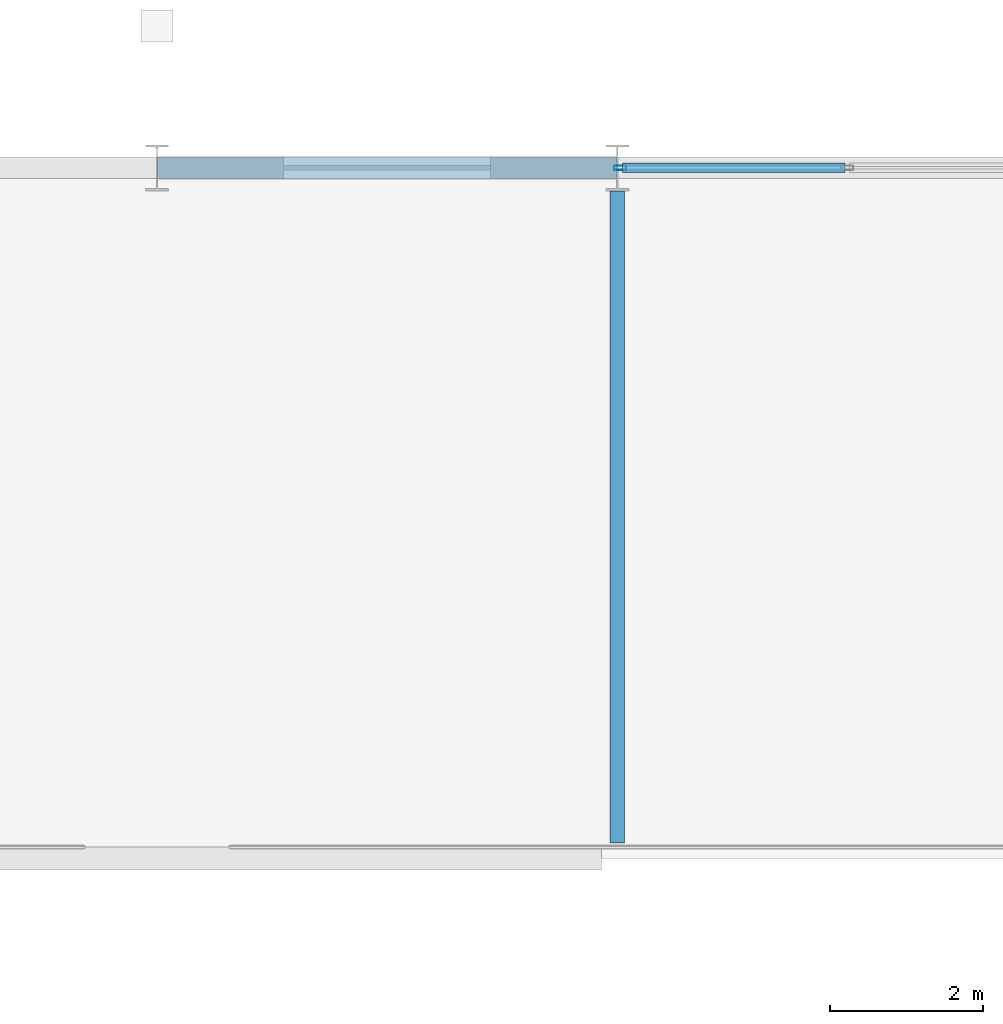
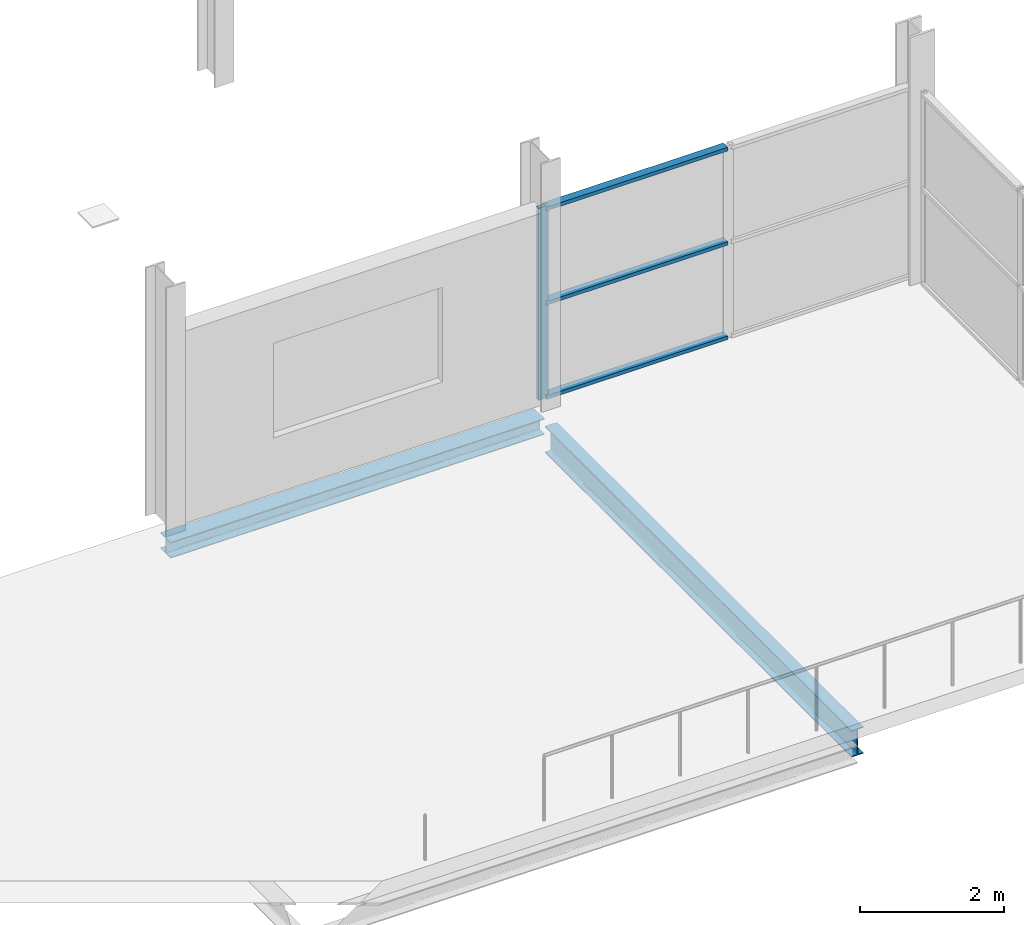
# One storey, part 49 of 135: 4 members, 2 beams, 1 element without a shape of its own.
"""IFC4 building model written with IfcOpenShell, lengths in metres."""

from ifc_helpers import new_model, si_unit, direction, frame, origin, origin_2d, place, context, subcontext, project, spatial, hollow_rectangle, i_section, extrude, material, layer, layer_set, material_profile, profile_set, type_object, element, aggregate, save


model = new_model("IFC4")

# Units and contexts
model_context = context("Model", 3, precision=1e-05, world=origin(), true_north=direction((0.0, 1.0)))
body_context = subcontext(model_context, "Body", "Model", "MODEL_VIEW")
ifc_project = project(units=[si_unit("LENGTHUNIT", "METRE"), si_unit("AREAUNIT", "SQUARE_METRE"), si_unit("VOLUMEUNIT", "CUBIC_METRE"), si_unit("PLANEANGLEUNIT", "RADIAN"), si_unit("MASSUNIT", "GRAM", prefix="KILO")], contexts=[model_context])

# Site, building, storey
site_placement = place(None, origin())
site = spatial("IfcSite", under=ifc_project, at=site_placement, CompositionType="ELEMENT")
building_placement = place(site_placement, origin())
building = spatial("IfcBuilding", under=site, at=building_placement, Name="Deido Ridge Mobility Hub", CompositionType="ELEMENT")
storey_placement = place(building_placement, frame((0.0, 0.0, 4.199951171875)))
storey = spatial("IfcBuildingStorey", under=building, at=storey_placement, Name="L01", CompositionType="ELEMENT", Elevation=4.199951171875)

# Beam
ifc_material_1 = material(Name="Steel S355J2 EN 10025-2", Category="steel")
ifc_material_profile_1 = material_profile(ifc_material_1, i_section(OverallWidth=0.18994140625, OverallDepth=0.449951171875, WebThickness=0.009521484375, FlangeThickness=0.0146484375, FilletRadius=0.02099609375, at=origin_2d()), Name="IPE 450")
ifc_profile_set_1 = profile_set([ifc_material_profile_1], Name="Steel S355J2 EN 10025-2")
beam_type_1 = type_object("IfcBeamType", Name="BM-IPE450", PredefinedType="BEAM", material=ifc_profile_set_1)
beam_1_placement = place(storey_placement, frame((54.0, 27.203125, -0.474853515625), z_axis=(0.0, 1.0, 0.0), x_axis=(-1.0, 0.0, 0.0)))
element("IfcBeam", 1, at=beam_1_placement, inside=storey, type_object=beam_type_1, Name="Floor beam B4", PredefinedType="BEAM", context=body_context, shape_type="SweptSolid", body=[
    extrude(i_section(OverallWidth=0.18994140625, OverallDepth=0.449951171875, WebThickness=0.009521484375, FlangeThickness=0.0146484375, FilletRadius=0.02099609375, at=origin_2d()), origin(), (0.0, 0.0, 1.0), 8.496826171875),
])

# Curtain wall, members
ifc_material_2 = material(Name="Anodised aluminium EN AW-6063 T6", Category="aluminium")
ifc_layer = layer(ifc_material_2, 0.14404296875, Name="Anodised aluminium EN AW-6063 T6")
ifc_layer_set = layer_set([ifc_layer], Name="Anodised aluminium EN AW-6063 T6")
curtain_wall_type = type_object("IfcCurtainWallType", Name="CW-GS-2", PredefinedType="USERDEFINED", material=ifc_layer_set)
curtain_wall_placement = place(storey_placement, origin())
curtain_wall = element("IfcCurtainWall", 2, at=curtain_wall_placement, inside=storey, type_object=curtain_wall_type, Name="Unitised curtain wall GS2", ObjectType="GLAZED SCREEN", PredefinedType="USERDEFINED")
ifc_material_profile_2 = material_profile(ifc_material_2, hollow_rectangle(XDim=0.06005859375, YDim=0.159912109375, WallThickness=0.00390625, at=origin_2d()), Name="RHS 60x160x4")
ifc_profile_set_2 = profile_set([ifc_material_profile_2], Name="Anodised aluminium EN AW-6063 T6")
member_type_1 = type_object("IfcMemberType", Name="MEM-MUL-60X160", PredefinedType="MULLION", material=ifc_profile_set_2)
member_1_placement = place(storey_placement, frame((54.037841796875, 36.0, 0.0), z_axis=(0.0, 0.0, 1.0), x_axis=(0.0, 1.0, 0.0)))
member_1 = element("IfcMember", 3, at=member_1_placement, type_object=member_type_1, Name="GS2 mullion 1", PredefinedType="MULLION", context=body_context, shape_type="SweptSolid", body=[
    extrude(hollow_rectangle(XDim=0.06005859375, YDim=0.159912109375, WallThickness=0.00390625, at=origin_2d()), origin(), (0.0, 0.0, 1.0), 3.25),
])
ifc_material_profile_3 = material_profile(ifc_material_2, hollow_rectangle(XDim=0.125, YDim=0.06005859375, WallThickness=0.00390625, at=origin_2d()), Name="RHS 125x60x4")
ifc_profile_set_3 = profile_set([ifc_material_profile_3], Name="Anodised aluminium EN AW-6063 T6")
member_type_2 = type_object("IfcMemberType", Name="MEM-TRN-125X60", PredefinedType="USERDEFINED", material=ifc_profile_set_3)
member_2_placement = place(storey_placement, frame((54.06787109375, 36.0, 0.030029296875), z_axis=(1.0, 0.0, 0.0), x_axis=(0.0, 1.0, 0.0)))
member_2 = element("IfcMember", 4, at=member_2_placement, type_object=member_type_2, Name="GS2 transom 1.1", ObjectType="TRANSOM", PredefinedType="USERDEFINED", context=body_context, shape_type="SweptSolid", body=[
    extrude(hollow_rectangle(XDim=0.125, YDim=0.06005859375, WallThickness=0.00390625, at=origin_2d()), origin(), (0.0, 0.0, 1.0), 2.900146484375),
])
member_3_placement = place(storey_placement, frame((54.06787109375, 36.0, 1.625), z_axis=(1.0, 0.0, 0.0), x_axis=(0.0, 1.0, 0.0)))
member_3 = element("IfcMember", 5, at=member_3_placement, type_object=member_type_2, Name="GS2 transom 1.2", ObjectType="TRANSOM", PredefinedType="USERDEFINED", context=body_context, shape_type="SweptSolid", body=[
    extrude(hollow_rectangle(XDim=0.125, YDim=0.06005859375, WallThickness=0.00390625, at=origin_2d()), origin(), (0.0, 0.0, 1.0), 2.900146484375),
])
member_4_placement = place(storey_placement, frame((54.06787109375, 36.0, 3.219970703125), z_axis=(1.0, 0.0, 0.0), x_axis=(0.0, 1.0, 0.0)))
member_4 = element("IfcMember", 6, at=member_4_placement, type_object=member_type_2, Name="GS2 transom 1.3", ObjectType="TRANSOM", PredefinedType="USERDEFINED", context=body_context, shape_type="SweptSolid", body=[
    extrude(hollow_rectangle(XDim=0.125, YDim=0.06005859375, WallThickness=0.00390625, at=origin_2d()), origin(), (0.0, 0.0, 1.0), 2.900146484375),
])
aggregate(curtain_wall, [member_1, member_2, member_3, member_4])

# Beam
ifc_material_profile_4 = material_profile(ifc_material_1, i_section(OverallWidth=0.280029296875, OverallDepth=0.27001953125, WebThickness=0.008056640625, FlangeThickness=0.012939453125, FilletRadius=0.02392578125, at=origin_2d()), Name="HEA 280")
ifc_profile_set_4 = profile_set([ifc_material_profile_4], Name="Steel S355J2 EN 10025-2")
beam_type_2 = type_object("IfcBeamType", Name="SPD-HEA280", PredefinedType="SPANDREL", material=ifc_profile_set_4)
beam_2_placement = place(storey_placement, frame((48.0078125, 36.0, -0.385009765625), z_axis=(1.0, 0.0, 0.0), x_axis=(0.0, 1.0, 0.0)))
element("IfcBeam", 7, at=beam_2_placement, inside=storey, type_object=beam_type_2, Name="Floor beam SP2", PredefinedType="SPANDREL", context=body_context, shape_type="SweptSolid", body=[
    extrude(i_section(OverallWidth=0.280029296875, OverallDepth=0.27001953125, WebThickness=0.008056640625, FlangeThickness=0.012939453125, FilletRadius=0.02392578125, at=origin_2d()), origin(), (0.0, 0.0, 1.0), 5.984375),
])

save(model, "model.ifc")
